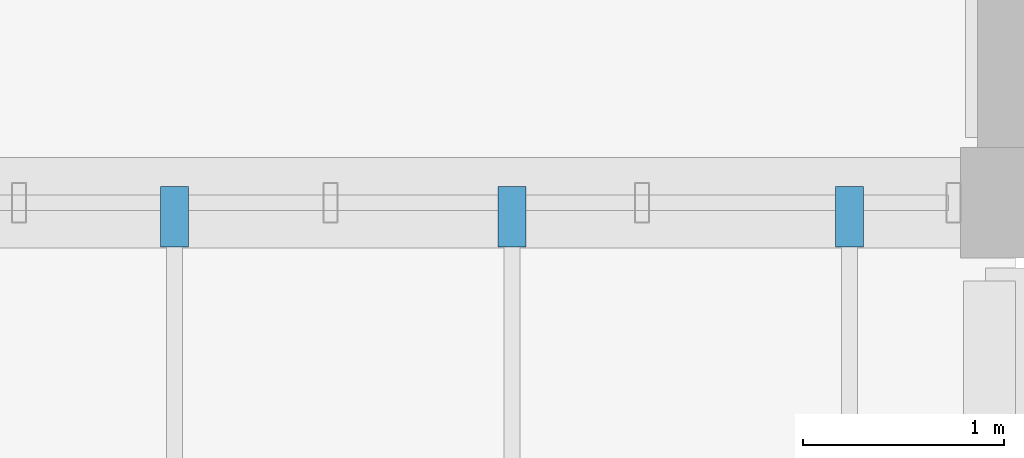
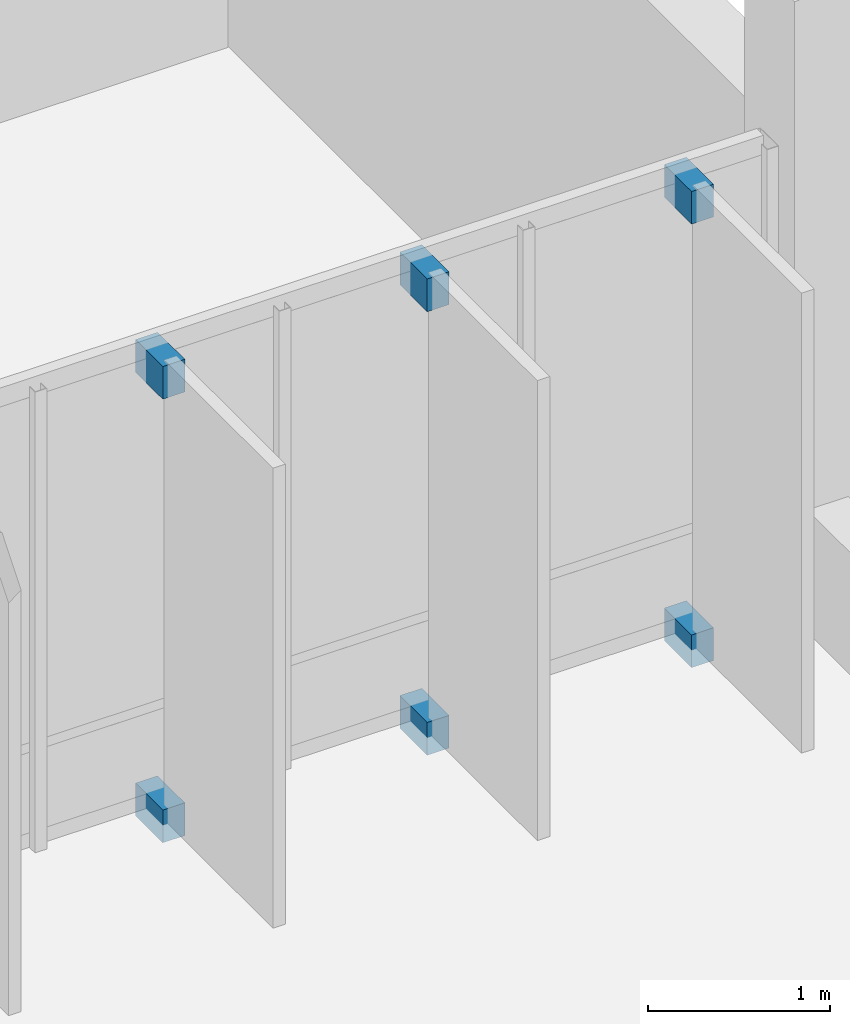
# One storey, part 123 of 130: 6 discrete accessories.
"""IFC4 building model written with IfcOpenShell, lengths in metres."""

from ifc_helpers import new_model, si_unit, direction, frame, origin, origin_2d, place, context, subcontext, project, spatial, rectangle, extrude, material, type_object, element, save


model = new_model("IFC4")

# Units and contexts
model_context = context("Model", 3, precision=1e-05, world=origin(), true_north=direction((0.0, 1.0)))
body_context = subcontext(model_context, "Body", "Model", "MODEL_VIEW")
ifc_project = project(units=[si_unit("LENGTHUNIT", "METRE"), si_unit("AREAUNIT", "SQUARE_METRE"), si_unit("VOLUMEUNIT", "CUBIC_METRE"), si_unit("PLANEANGLEUNIT", "RADIAN"), si_unit("MASSUNIT", "GRAM", prefix="KILO")], contexts=[model_context])

# Site, building, storey
site_placement = place(None, origin())
site = spatial("IfcSite", under=ifc_project, at=site_placement, CompositionType="ELEMENT")
building_placement = place(site_placement, origin())
building = spatial("IfcBuilding", under=site, at=building_placement, Name="Vireocrest Preparatory School", CompositionType="ELEMENT")
storey_placement = place(building_placement, frame((0.0, 0.0, 9.0)))
storey = spatial("IfcBuildingStorey", under=building, at=storey_placement, Name="L02", CompositionType="ELEMENT", Elevation=9.0)

# Discrete accessories
ifc_material = material(Name="Structural steel ASTM A572 Grade 50", Category="steel")
discrete_accessory_type = type_object("IfcDiscreteAccessoryType", Name="Slab-Edge Steel Outrigger Fin Bracket", PredefinedType="BRACKET", material=ifc_material)
for number, where, z_axis, x_axis, name in (
    (1, (113.41259765625, 94.72998046875, -0.08984375), (0.0, 0.0, 1.0), (-1.0, 0.0, 0.0), "Solar Fin Outrigger Bracket BK1 L02-21-3-BOT"),
    (2, (113.41259765625, 94.72998046875, 2.89013671875), (0.0, 0.0, 1.0), (-1.0, 0.0, 0.0), "Solar Fin Outrigger Bracket BK1 L02-21-3-TOP"),
    (3, (115.092529296875, 94.72998046875, -0.08984375), (0.0, 0.0, 1.0), (-1.0, 0.0, 0.0), "Solar Fin Outrigger Bracket BK1 L02-21-4-BOT"),
    (4, (115.092529296875, 94.72998046875, 2.89013671875), (0.0, 0.0, 1.0), (-1.0, 0.0, 0.0), "Solar Fin Outrigger Bracket BK1 L02-21-4-TOP"),
    (5, (116.7724609375, 94.72998046875, -0.08984375), (0.0, 0.0, 1.0), (-1.0, 0.0, 0.0), "Solar Fin Outrigger Bracket BK1 L02-21-5-BOT"),
    (6, (116.7724609375, 94.72998046875, 2.89013671875), (0.0, 0.0, 1.0), (-1.0, 0.0, 0.0), "Solar Fin Outrigger Bracket BK1 L02-21-5-TOP"),
):
    element("IfcDiscreteAccessory", number, at=place(storey_placement, frame(where, z_axis=z_axis, x_axis=x_axis)), inside=storey, type_object=discrete_accessory_type, Name=name, PredefinedType="BRACKET", context=body_context, shape_type="SweptSolid", body=[
        extrude(rectangle(XDim=0.139892578125, YDim=0.300048828125, at=origin_2d()), origin(), (0.0, 0.0, 1.0), 0.219970703125),
    ])

save(model, "model.ifc")
